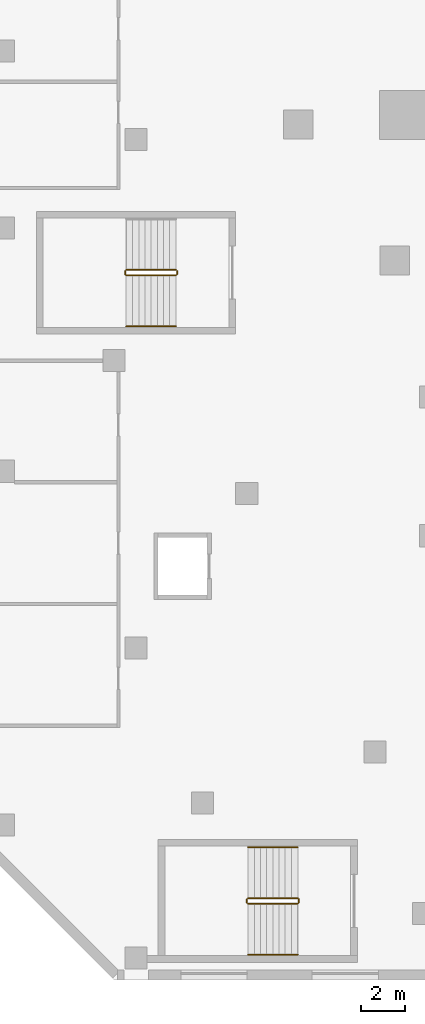
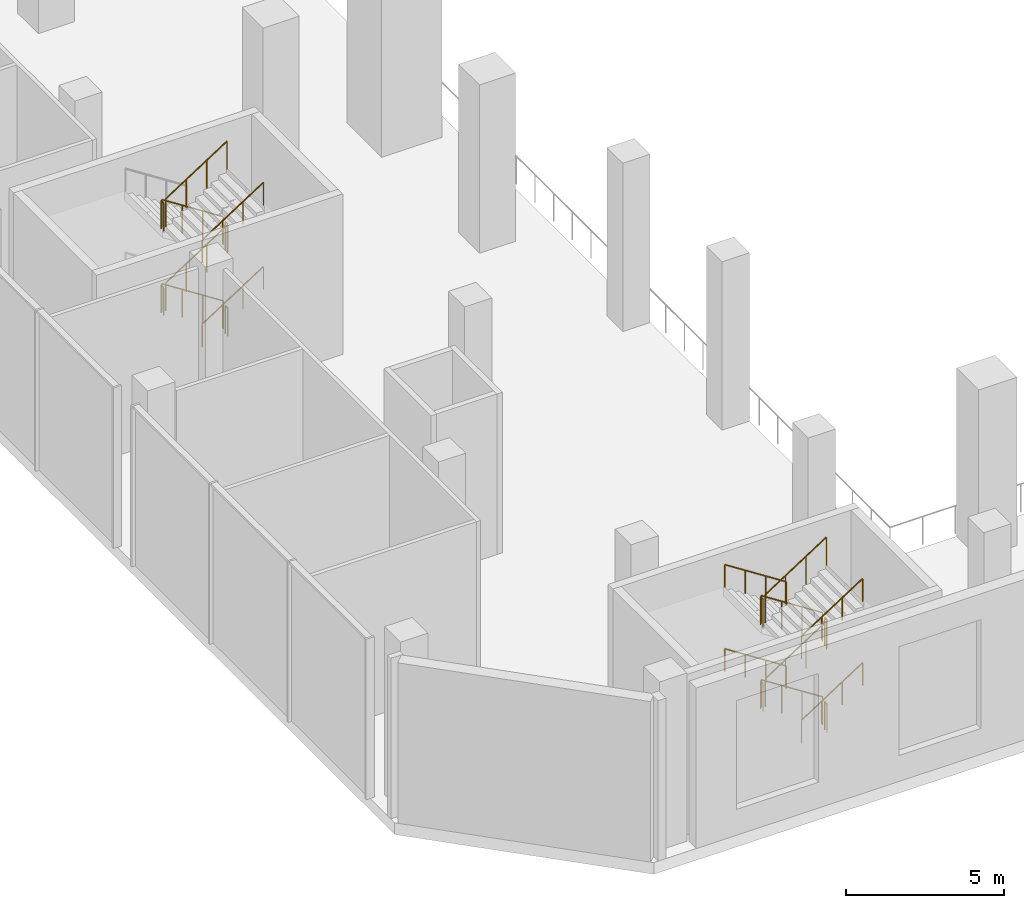
# One storey, part 22 of 30: 22 railings.
"""IFC4 building model written with IfcOpenShell, lengths in metres."""

import ifcopenshell
import ifcopenshell.guid

model = None  # the IFC model being written
_history = None  # IfcOwnerHistory: only IFC2X3 demands one
_inside = {}  # id of a spatial element -> (the spatial element, [elements in it])
_under = {}  # id of a project, library or spatial element -> (it, [spatial elements below it])
_declared = {}  # id of a project -> (the project, [libraries it declares])
_typed = {}  # id of a type object -> (the type object, [elements of that type])
_made_of = {}  # id of a material, layer set ... -> (it, [elements and type objects made of it])


def new_model(schema):
    """Start an empty IFC model of exactly this schema.

    Asked for "IFC4X3", IfcOpenShell would pick the latest addendum, in which some entities
    have other attributes; the version numbers below select the first issue.
    IFC2X3 requires an IfcOwnerHistory on every rooted entity: one is made here for all.
    """
    global model, _history
    if schema == "IFC4X3":
        model = ifcopenshell.file(schema_version=(4, 3, 0, 0))
    else:
        model = ifcopenshell.file(schema=schema)
    _inside.clear()
    _under.clear()
    _declared.clear()
    _typed.clear()
    _made_of.clear()
    _history = None
    if model.schema == "IFC2X3":
        org = make("IfcOrganization", Name="unknown")
        user = make(
            "IfcPersonAndOrganization",
            ThePerson=make("IfcPerson", FamilyName="unknown"),
            TheOrganization=org,
        )
        app = make(
            "IfcApplication",
            ApplicationDeveloper=org,
            Version="unknown",
            ApplicationFullName="unknown",
            ApplicationIdentifier="unknown",
        )
        _history = make(
            "IfcOwnerHistory",
            OwningUser=user,
            OwningApplication=app,
            ChangeAction="ADDED",
            CreationDate=0,
        )
    return model


def make(cls, **values):
    """One entity of the class cls with the attributes given. An attribute that is None is left unset."""
    return model.create_entity(
        cls, **{name: value for name, value in values.items() if value is not None}
    )


def rooted(cls, **values):
    """An entity with a GlobalId (a new one), such as an element, a storey or a relation."""
    return make(cls, GlobalId=ifcopenshell.guid.new(), OwnerHistory=_history, **values)


def si_unit(unit_type, name, prefix=None):
    """IfcSIUnit, for example si_unit("LENGTHUNIT", "METRE", prefix="MILLI")."""
    return make("IfcSIUnit", UnitType=unit_type, Prefix=prefix, Name=name)


def assignment(units):
    """IfcUnitAssignment: the units of a project."""
    return None if units is None else make("IfcUnitAssignment", Units=units)


def point(xyz):
    """IfcCartesianPoint."""
    return None if xyz is None else make("IfcCartesianPoint", Coordinates=xyz)


def direction(xyz):
    """IfcDirection."""
    return None if xyz is None else make("IfcDirection", DirectionRatios=xyz)


def frame(location, z_axis=None, x_axis=None):
    """IfcAxis2Placement3D, a coordinate frame: its origin and axes. An axis left out is left unset."""
    return make(
        "IfcAxis2Placement3D",
        Location=point(location),
        Axis=direction(z_axis),
        RefDirection=direction(x_axis),
    )


def frame_2d(location, x_axis=None):
    """IfcAxis2Placement2D, a coordinate frame in the plane: its origin and x axis."""
    return make(
        "IfcAxis2Placement2D", Location=point(location), RefDirection=direction(x_axis)
    )


def origin():
    """The frame at (0, 0, 0) with its axes left unset."""
    return frame((0.0, 0.0, 0.0))


def origin_2d():
    """The frame at (0, 0) in the plane with its x axis left unset."""
    return frame_2d((0.0, 0.0))


def place(relative_to, where):
    """IfcLocalPlacement: puts the frame where relative to a parent placement (None: the world)."""
    return make(
        "IfcLocalPlacement", PlacementRelTo=relative_to, RelativePlacement=where
    )


def context(
    kind, dimensions, precision=None, world=None, true_north=None, identifier=None
):
    """IfcGeometricRepresentationContext, for example the 3D "Model" context."""
    return make(
        "IfcGeometricRepresentationContext",
        ContextIdentifier=identifier,
        ContextType=kind,
        CoordinateSpaceDimension=dimensions,
        Precision=precision,
        WorldCoordinateSystem=world,
        TrueNorth=true_north,
    )


def subcontext(parent, identifier, kind, view, scale=None):
    """IfcGeometricRepresentationSubContext, for example "Body" below "Model"."""
    return make(
        "IfcGeometricRepresentationSubContext",
        ContextIdentifier=identifier,
        ContextType=kind,
        ParentContext=parent,
        TargetScale=scale,
        TargetView=view,
    )


def project(units=None, contexts=None):
    """IfcProject with its units and contexts."""
    return rooted(
        "IfcProject",
        Name="project",
        RepresentationContexts=contexts,
        UnitsInContext=assignment(units),
    )


def spatial(cls, under=None, at=None, **own):
    """A site, building, storey or space (cls), placed at a placement, below another one or the project."""
    s = rooted(cls, ObjectPlacement=at, **own)
    if under is not None:
        _under.setdefault(under.id(), (under, []))[1].append(s)
    return s


def profile(cls, at=None, kind="AREA", **sizes):
    """A parametric profile (cls). Its sizes go by their IFC names, for example OverallWidth=200.0."""
    return make(cls, ProfileType=kind, Position=at, **sizes)


def circle(**sizes):
    """IfcCircleProfileDef."""
    return profile("IfcCircleProfileDef", **sizes)


def extrude(swept, where, along, depth):
    """IfcExtrudedAreaSolid: the profile swept, set in the frame where, extruded along a direction by depth."""
    return make(
        "IfcExtrudedAreaSolid",
        SweptArea=swept,
        Position=where,
        ExtrudedDirection=direction(along),
        Depth=depth,
    )


def shape(context_of_items, identifier, shape_type, items):
    """IfcShapeRepresentation: the items that make up one representation, for example the "Body"."""
    return make(
        "IfcShapeRepresentation",
        ContextOfItems=context_of_items,
        RepresentationIdentifier=identifier,
        RepresentationType=shape_type,
        Items=items,
    )


def material(Name=None, Category=None):
    """IfcMaterial."""
    return make("IfcMaterial", Name=Name, Category=Category)


def made_of(thing, what):
    """Note that an element or type object is made of a material, layer set ...; save() writes the relation."""
    if what is not None:
        _made_of.setdefault(what.id(), (what, []))[1].append(thing)
    return thing


def type_object(cls, material=None, **own):
    """A type object (cls), such as IfcWallType, which elements share."""
    return made_of(rooted(cls, **own), material)


def element(
    cls,
    number,
    at=None,
    inside=None,
    cuts=None,
    type_object=None,
    material=None,
    context=None,
    identifier="Body",
    shape_type=None,
    held_by="IfcProductDefinitionShape",
    body=None,
    shapes=None,
    **own,
):
    """One element of the class cls, such as IfcWall. Its Tag is "e" and its number.

    at: its placement. inside: the storey or other place that contains it. cuts: it is an
    opening in that element (IfcRelVoidsElement). A single representation is given by context,
    identifier, shape_type and body (its items); several are given by shapes. held_by: the class
    of the entity that holds the representations. save() writes the other relations.
    """
    e = rooted(cls, Tag="e%d" % number, ObjectPlacement=at, **own)
    if body is not None:
        shapes = [shape(context, identifier, shape_type, body)]
    if shapes is not None:
        e.Representation = make(held_by, Representations=shapes)
    if inside is not None:
        _inside.setdefault(inside.id(), (inside, []))[1].append(e)
    if cuts is not None:
        rooted(
            "IfcRelVoidsElement", RelatingBuildingElement=cuts, RelatedOpeningElement=e
        )
    if type_object is not None:
        _typed.setdefault(type_object.id(), (type_object, []))[1].append(e)
    return made_of(e, material)


def aggregate(whole, parts):
    """IfcRelAggregates: a whole, such as a stair, and the parts it consists of."""
    return rooted("IfcRelAggregates", RelatingObject=whole, RelatedObjects=parts)


def save(model, path):
    """Write the relations noted so far, then the file.

    IfcRelAggregates (storeys below a building ...), IfcRelContainedInSpatialStructure (elements
    in a storey), IfcRelDefinesByType, IfcRelAssociatesMaterial and IfcRelDeclares: one each for
    every whole, place, type object, material and project.
    """
    for whole, parts in _under.values():
        aggregate(whole, parts)
    for where, things in _inside.values():
        rooted(
            "IfcRelContainedInSpatialStructure",
            RelatedElements=things,
            RelatingStructure=where,
        )
    for kind, things in _typed.values():
        rooted("IfcRelDefinesByType", RelatedObjects=things, RelatingType=kind)
    for what, things in _made_of.values():
        rooted("IfcRelAssociatesMaterial", RelatedObjects=things, RelatingMaterial=what)
    for by, libraries in _declared.values():
        rooted("IfcRelDeclares", RelatingContext=by, RelatedDefinitions=libraries)
    model.write(path)


model = new_model("IFC4")

# Units and contexts
model_context = context("Model", 3, precision=1e-05, world=origin(), true_north=direction((0.0, 1.0)))
body_context = subcontext(model_context, "Body", "Model", "MODEL_VIEW")
ifc_project = project(units=[si_unit("LENGTHUNIT", "METRE"), si_unit("AREAUNIT", "SQUARE_METRE"), si_unit("VOLUMEUNIT", "CUBIC_METRE"), si_unit("PLANEANGLEUNIT", "RADIAN"), si_unit("MASSUNIT", "GRAM", prefix="KILO")], contexts=[model_context])

# Site, building, storey
site_placement = place(None, origin())
site = spatial("IfcSite", under=ifc_project, at=site_placement, CompositionType="ELEMENT")
building_placement = place(site_placement, origin())
building = spatial("IfcBuilding", under=site, at=building_placement, Name="Wharfspan Tower", CompositionType="ELEMENT")
storey_placement = place(building_placement, frame((0.0, 0.0, 15.0)))
storey = spatial("IfcBuildingStorey", under=building, at=storey_placement, Name="L02", CompositionType="ELEMENT", Elevation=15.0)

# Railings
ifc_material = material(Name="Steel S355J2", Category="steel")
railing_type_1 = type_object("IfcRailingType", Name="Podium guard 1100", PredefinedType="GUARDRAIL", material=ifc_material)
railing_1_placement = place(storey_placement, frame((2.300049, -28.300049, 0.180664)))
element("IfcRailing", 1, at=railing_1_placement, inside=storey, type_object=railing_type_1, Name="L02 AS1 stair guard 1", PredefinedType="GUARDRAIL", context=body_context, shape_type="SweptSolid", body=[
    extrude(circle(Radius=0.023926, at=origin_2d()), frame((0.0, 0.0, 1.076172), z_axis=(-0.840437, 0.0, 0.54191), x_axis=(0.0, -1.0, 0.0)), (0.0, 0.0, 1.0), 2.665283),
    extrude(circle(Radius=0.020996, at=origin_2d()), origin(), (0.0, 0.0, 1.0), 1.052002),
    extrude(circle(Radius=0.020996, at=origin_2d()), frame((-0.746582, 0.0, 0.481445)), (0.0, 0.0, 1.0), 1.052002),
    extrude(circle(Radius=0.020996, at=origin_2d()), frame((-1.493408, 0.0, 0.962891)), (0.0, 0.0, 1.0), 1.052002),
    extrude(circle(Radius=0.020996, at=origin_2d()), frame((-2.23999, 0.0, 1.444336)), (0.0, 0.0, 1.0), 1.052002),
])
railing_2_placement = place(storey_placement, frame((0.01001, -28.350098, 1.625)))
element("IfcRailing", 2, at=railing_2_placement, inside=storey, type_object=railing_type_1, Name="L02 AS1 stair guard 2", PredefinedType="GUARDRAIL", context=body_context, shape_type="SweptSolid", body=[
    extrude(circle(Radius=0.023926, at=origin_2d()), frame((0.0, 0.0, 1.076172), z_axis=(0.0, -1.0, 0.0), x_axis=(1.0, 0.0, 0.0)), (0.0, 0.0, 1.0), 0.149902),
    extrude(circle(Radius=0.020996, at=origin_2d()), origin(), (0.0, 0.0, 1.0), 1.052002),
    extrude(circle(Radius=0.020996, at=origin_2d()), frame((0.0, -0.149902, 0.0)), (0.0, 0.0, 1.0), 1.052002),
])
railing_3_placement = place(storey_placement, frame((0.060059, -28.550049, 1.805664)))
element("IfcRailing", 3, at=railing_3_placement, inside=storey, type_object=railing_type_1, Name="L02 AS1 stair guard 3", PredefinedType="GUARDRAIL", context=body_context, shape_type="SweptSolid", body=[
    extrude(circle(Radius=0.023926, at=origin_2d()), frame((0.0, 0.0, 1.076172), z_axis=(0.840437, 0.0, 0.54191), x_axis=(0.0, 1.0, 0.0)), (0.0, 0.0, 1.0), 2.665283),
    extrude(circle(Radius=0.020996, at=origin_2d()), origin(), (0.0, 0.0, 1.0), 1.052002),
    extrude(circle(Radius=0.020996, at=origin_2d()), frame((0.746582, 0.0, 0.481445)), (0.0, 0.0, 1.0), 1.052002),
    extrude(circle(Radius=0.020996, at=origin_2d()), frame((1.493408, 0.0, 0.962891)), (0.0, 0.0, 1.0), 1.052002),
    extrude(circle(Radius=0.020996, at=origin_2d()), frame((2.23999, 0.0, 1.444336)), (0.0, 0.0, 1.0), 1.052002),
])
railing_4_placement = place(storey_placement, frame((2.350098, -28.350098, 3.25)))
element("IfcRailing", 4, at=railing_4_placement, inside=storey, type_object=railing_type_1, Name="L02 AS1 stair guard 4", PredefinedType="GUARDRAIL", context=body_context, shape_type="SweptSolid", body=[
    extrude(circle(Radius=0.023926, at=origin_2d()), frame((0.0, 0.0, 1.076172), z_axis=(0.0, -1.0, 0.0), x_axis=(1.0, 0.0, 0.0)), (0.0, 0.0, 1.0), 0.149902),
    extrude(circle(Radius=0.020996, at=origin_2d()), origin(), (0.0, 0.0, 1.0), 1.052002),
    extrude(circle(Radius=0.020996, at=origin_2d()), frame((0.0, -0.149902, 0.0)), (0.0, 0.0, 1.0), 1.052002),
])
railing_5_placement = place(storey_placement, frame((2.300049, -28.300049, 3.430664)))
element("IfcRailing", 5, at=railing_5_placement, inside=storey, type_object=railing_type_1, Name="L02 AS1 stair guard 5", PredefinedType="GUARDRAIL", context=body_context, shape_type="SweptSolid", body=[
    extrude(circle(Radius=0.023926, at=origin_2d()), frame((0.0, 0.0, 1.076172), z_axis=(-0.840437, 0.0, 0.54191), x_axis=(0.0, -1.0, 0.0)), (0.0, 0.0, 1.0), 2.665283),
    extrude(circle(Radius=0.020996, at=origin_2d()), origin(), (0.0, 0.0, 1.0), 1.052002),
    extrude(circle(Radius=0.020996, at=origin_2d()), frame((-0.746582, 0.0, 0.481445)), (0.0, 0.0, 1.0), 1.052002),
    extrude(circle(Radius=0.020996, at=origin_2d()), frame((-1.493408, 0.0, 0.962891)), (0.0, 0.0, 1.0), 1.052002),
    extrude(circle(Radius=0.020996, at=origin_2d()), frame((-2.23999, 0.0, 1.444336)), (0.0, 0.0, 1.0), 1.052002),
])
railing_6_placement = place(storey_placement, frame((0.01001, -28.350098, 4.875)))
element("IfcRailing", 6, at=railing_6_placement, inside=storey, type_object=railing_type_1, Name="L02 AS1 stair guard 6", PredefinedType="GUARDRAIL", context=body_context, shape_type="SweptSolid", body=[
    extrude(circle(Radius=0.023926, at=origin_2d()), frame((0.0, 0.0, 1.076172), z_axis=(0.0, -1.0, 0.0), x_axis=(1.0, 0.0, 0.0)), (0.0, 0.0, 1.0), 0.149902),
    extrude(circle(Radius=0.020996, at=origin_2d()), origin(), (0.0, 0.0, 1.0), 1.052002),
    extrude(circle(Radius=0.020996, at=origin_2d()), frame((0.0, -0.149902, 0.0)), (0.0, 0.0, 1.0), 1.052002),
])
railing_7_placement = place(storey_placement, frame((0.060059, -28.550049, 5.055664)))
element("IfcRailing", 7, at=railing_7_placement, inside=storey, type_object=railing_type_1, Name="L02 AS1 stair guard 7", PredefinedType="GUARDRAIL", context=body_context, shape_type="SweptSolid", body=[
    extrude(circle(Radius=0.023926, at=origin_2d()), frame((0.0, 0.0, 1.076172), z_axis=(0.840437, 0.0, 0.54191), x_axis=(0.0, 1.0, 0.0)), (0.0, 0.0, 1.0), 2.665283),
    extrude(circle(Radius=0.020996, at=origin_2d()), origin(), (0.0, 0.0, 1.0), 1.052002),
    extrude(circle(Radius=0.020996, at=origin_2d()), frame((0.746582, 0.0, 0.481445)), (0.0, 0.0, 1.0), 1.052002),
    extrude(circle(Radius=0.020996, at=origin_2d()), frame((1.493408, 0.0, 0.962891)), (0.0, 0.0, 1.0), 1.052002),
    extrude(circle(Radius=0.020996, at=origin_2d()), frame((2.23999, 0.0, 1.444336)), (0.0, 0.0, 1.0), 1.052002),
])
railing_8_placement = place(storey_placement, frame((2.350098, -28.350098, 0.0)))
element("IfcRailing", 8, at=railing_8_placement, inside=storey, type_object=railing_type_1, Name="L02 AS1 stair guard 8", PredefinedType="GUARDRAIL", context=body_context, shape_type="SweptSolid", body=[
    extrude(circle(Radius=0.023926, at=origin_2d()), frame((0.0, 0.0, 1.076172), z_axis=(0.0, -1.0, 0.0), x_axis=(1.0, 0.0, 0.0)), (0.0, 0.0, 1.0), 0.149902),
    extrude(circle(Radius=0.020996, at=origin_2d()), origin(), (0.0, 0.0, 1.0), 1.052002),
    extrude(circle(Radius=0.020996, at=origin_2d()), frame((0.0, -0.149902, 0.0)), (0.0, 0.0, 1.0), 1.052002),
])
railing_9_placement = place(storey_placement, frame((-3.199951, 0.100098, 0.180664)))
element("IfcRailing", 9, at=railing_9_placement, inside=storey, type_object=railing_type_1, Name="L02 AS7 stair guard 1", PredefinedType="GUARDRAIL", context=body_context, shape_type="SweptSolid", body=[
    extrude(circle(Radius=0.023926, at=origin_2d()), frame((0.0, 0.0, 1.076172), z_axis=(-0.840437, 0.0, 0.54191), x_axis=(0.0, -1.0, 0.0)), (0.0, 0.0, 1.0), 2.665283),
    extrude(circle(Radius=0.020996, at=origin_2d()), origin(), (0.0, 0.0, 1.0), 1.052002),
    extrude(circle(Radius=0.020996, at=origin_2d()), frame((-0.746582, 0.0, 0.481445)), (0.0, 0.0, 1.0), 1.052002),
    extrude(circle(Radius=0.020996, at=origin_2d()), frame((-1.493408, 0.0, 0.962891)), (0.0, 0.0, 1.0), 1.052002),
    extrude(circle(Radius=0.020996, at=origin_2d()), frame((-2.23999, 0.0, 1.444336)), (0.0, 0.0, 1.0), 1.052002),
])
railing_10_placement = place(storey_placement, frame((-5.48999, 0.050049, 1.625)))
element("IfcRailing", 10, at=railing_10_placement, inside=storey, type_object=railing_type_1, Name="L02 AS7 stair guard 2", PredefinedType="GUARDRAIL", context=body_context, shape_type="SweptSolid", body=[
    extrude(circle(Radius=0.023926, at=origin_2d()), frame((0.0, 0.0, 1.076172), z_axis=(0.0, -1.0, 0.0), x_axis=(1.0, 0.0, 0.0)), (0.0, 0.0, 1.0), 0.150146),
    extrude(circle(Radius=0.020996, at=origin_2d()), origin(), (0.0, 0.0, 1.0), 1.052002),
    extrude(circle(Radius=0.020996, at=origin_2d()), frame((0.0, -0.150146, 0.0)), (0.0, 0.0, 1.0), 1.052002),
])
railing_11_placement = place(storey_placement, frame((-5.439941, -0.149902, 1.805664)))
element("IfcRailing", 11, at=railing_11_placement, inside=storey, type_object=railing_type_1, Name="L02 AS7 stair guard 3", PredefinedType="GUARDRAIL", context=body_context, shape_type="SweptSolid", body=[
    extrude(circle(Radius=0.023926, at=origin_2d()), frame((0.0, 0.0, 1.076172), z_axis=(0.840437, 0.0, 0.54191), x_axis=(0.0, 1.0, 0.0)), (0.0, 0.0, 1.0), 2.665283),
    extrude(circle(Radius=0.020996, at=origin_2d()), origin(), (0.0, 0.0, 1.0), 1.052002),
    extrude(circle(Radius=0.020996, at=origin_2d()), frame((0.746582, 0.0, 0.481445)), (0.0, 0.0, 1.0), 1.052002),
    extrude(circle(Radius=0.020996, at=origin_2d()), frame((1.493408, 0.0, 0.962891)), (0.0, 0.0, 1.0), 1.052002),
    extrude(circle(Radius=0.020996, at=origin_2d()), frame((2.23999, 0.0, 1.444336)), (0.0, 0.0, 1.0), 1.052002),
])
railing_12_placement = place(storey_placement, frame((-3.149902, 0.050049, 3.25)))
element("IfcRailing", 12, at=railing_12_placement, inside=storey, type_object=railing_type_1, Name="L02 AS7 stair guard 4", PredefinedType="GUARDRAIL", context=body_context, shape_type="SweptSolid", body=[
    extrude(circle(Radius=0.023926, at=origin_2d()), frame((0.0, 0.0, 1.076172), z_axis=(0.0, -1.0, 0.0), x_axis=(1.0, 0.0, 0.0)), (0.0, 0.0, 1.0), 0.150146),
    extrude(circle(Radius=0.020996, at=origin_2d()), origin(), (0.0, 0.0, 1.0), 1.052002),
    extrude(circle(Radius=0.020996, at=origin_2d()), frame((0.0, -0.150146, 0.0)), (0.0, 0.0, 1.0), 1.052002),
])
railing_13_placement = place(storey_placement, frame((-3.199951, 0.100098, 3.430664)))
element("IfcRailing", 13, at=railing_13_placement, inside=storey, type_object=railing_type_1, Name="L02 AS7 stair guard 5", PredefinedType="GUARDRAIL", context=body_context, shape_type="SweptSolid", body=[
    extrude(circle(Radius=0.023926, at=origin_2d()), frame((0.0, 0.0, 1.076172), z_axis=(-0.840437, 0.0, 0.54191), x_axis=(0.0, -1.0, 0.0)), (0.0, 0.0, 1.0), 2.665283),
    extrude(circle(Radius=0.020996, at=origin_2d()), origin(), (0.0, 0.0, 1.0), 1.052002),
    extrude(circle(Radius=0.020996, at=origin_2d()), frame((-0.746582, 0.0, 0.481445)), (0.0, 0.0, 1.0), 1.052002),
    extrude(circle(Radius=0.020996, at=origin_2d()), frame((-1.493408, 0.0, 0.962891)), (0.0, 0.0, 1.0), 1.052002),
    extrude(circle(Radius=0.020996, at=origin_2d()), frame((-2.23999, 0.0, 1.444336)), (0.0, 0.0, 1.0), 1.052002),
])
railing_14_placement = place(storey_placement, frame((-5.48999, 0.050049, 4.875)))
element("IfcRailing", 14, at=railing_14_placement, inside=storey, type_object=railing_type_1, Name="L02 AS7 stair guard 6", PredefinedType="GUARDRAIL", context=body_context, shape_type="SweptSolid", body=[
    extrude(circle(Radius=0.023926, at=origin_2d()), frame((0.0, 0.0, 1.076172), z_axis=(0.0, -1.0, 0.0), x_axis=(1.0, 0.0, 0.0)), (0.0, 0.0, 1.0), 0.150146),
    extrude(circle(Radius=0.020996, at=origin_2d()), origin(), (0.0, 0.0, 1.0), 1.052002),
    extrude(circle(Radius=0.020996, at=origin_2d()), frame((0.0, -0.150146, 0.0)), (0.0, 0.0, 1.0), 1.052002),
])
railing_15_placement = place(storey_placement, frame((-5.439941, -0.149902, 5.055664)))
element("IfcRailing", 15, at=railing_15_placement, inside=storey, type_object=railing_type_1, Name="L02 AS7 stair guard 7", PredefinedType="GUARDRAIL", context=body_context, shape_type="SweptSolid", body=[
    extrude(circle(Radius=0.023926, at=origin_2d()), frame((0.0, 0.0, 1.076172), z_axis=(0.840437, 0.0, 0.54191), x_axis=(0.0, 1.0, 0.0)), (0.0, 0.0, 1.0), 2.665283),
    extrude(circle(Radius=0.020996, at=origin_2d()), origin(), (0.0, 0.0, 1.0), 1.052002),
    extrude(circle(Radius=0.020996, at=origin_2d()), frame((0.746582, 0.0, 0.481445)), (0.0, 0.0, 1.0), 1.052002),
    extrude(circle(Radius=0.020996, at=origin_2d()), frame((1.493408, 0.0, 0.962891)), (0.0, 0.0, 1.0), 1.052002),
    extrude(circle(Radius=0.020996, at=origin_2d()), frame((2.23999, 0.0, 1.444336)), (0.0, 0.0, 1.0), 1.052002),
])
railing_16_placement = place(storey_placement, frame((-3.149902, 0.050049, 0.0)))
element("IfcRailing", 16, at=railing_16_placement, inside=storey, type_object=railing_type_1, Name="L02 AS7 stair guard 8", PredefinedType="GUARDRAIL", context=body_context, shape_type="SweptSolid", body=[
    extrude(circle(Radius=0.023926, at=origin_2d()), frame((0.0, 0.0, 1.076172), z_axis=(0.0, -1.0, 0.0), x_axis=(1.0, 0.0, 0.0)), (0.0, 0.0, 1.0), 0.150146),
    extrude(circle(Radius=0.020996, at=origin_2d()), origin(), (0.0, 0.0, 1.0), 1.052002),
    extrude(circle(Radius=0.020996, at=origin_2d()), frame((0.0, -0.150146, 0.0)), (0.0, 0.0, 1.0), 1.052002),
])
railing_type_2 = type_object("IfcRailingType", Name="Podium stair handrail 900", PredefinedType="HANDRAIL", material=ifc_material)
railing_17_placement = place(storey_placement, frame((2.300049, -26.0, 0.180664)))
element("IfcRailing", 17, at=railing_17_placement, inside=storey, type_object=railing_type_2, Name="L02 AS1 stair handrail 1", PredefinedType="HANDRAIL", context=body_context, shape_type="SweptSolid", body=[
    extrude(circle(Radius=0.023926, at=origin_2d()), frame((0.0, 0.0, 0.875977), z_axis=(-0.840437, 0.0, 0.54191), x_axis=(0.0, -1.0, 0.0)), (0.0, 0.0, 1.0), 2.665283),
    extrude(circle(Radius=0.020996, at=origin_2d()), origin(), (0.0, 0.0, 1.0), 0.851807),
    extrude(circle(Radius=0.020996, at=origin_2d()), frame((-0.746582, 0.0, 0.481445)), (0.0, 0.0, 1.0), 0.851807),
    extrude(circle(Radius=0.020996, at=origin_2d()), frame((-1.493408, 0.0, 0.962891)), (0.0, 0.0, 1.0), 0.851807),
    extrude(circle(Radius=0.020996, at=origin_2d()), frame((-2.23999, 0.0, 1.444336)), (0.0, 0.0, 1.0), 0.851807),
])
railing_18_placement = place(storey_placement, frame((0.060059, -30.850098, 1.805664)))
element("IfcRailing", 18, at=railing_18_placement, inside=storey, type_object=railing_type_2, Name="L02 AS1 stair handrail 2", PredefinedType="HANDRAIL", context=body_context, shape_type="SweptSolid", body=[
    extrude(circle(Radius=0.023926, at=origin_2d()), frame((0.0, 0.0, 0.875977), z_axis=(0.840437, 0.0, 0.54191), x_axis=(0.0, 1.0, 0.0)), (0.0, 0.0, 1.0), 2.665283),
    extrude(circle(Radius=0.020996, at=origin_2d()), origin(), (0.0, 0.0, 1.0), 0.851807),
    extrude(circle(Radius=0.020996, at=origin_2d()), frame((0.746582, 0.0, 0.481445)), (0.0, 0.0, 1.0), 0.851807),
    extrude(circle(Radius=0.020996, at=origin_2d()), frame((1.493408, 0.0, 0.962891)), (0.0, 0.0, 1.0), 0.851807),
    extrude(circle(Radius=0.020996, at=origin_2d()), frame((2.23999, 0.0, 1.444336)), (0.0, 0.0, 1.0), 0.851807),
])
railing_19_placement = place(storey_placement, frame((2.300049, -26.0, 3.430664)))
element("IfcRailing", 19, at=railing_19_placement, inside=storey, type_object=railing_type_2, Name="L02 AS1 stair handrail 3", PredefinedType="HANDRAIL", context=body_context, shape_type="SweptSolid", body=[
    extrude(circle(Radius=0.023926, at=origin_2d()), frame((0.0, 0.0, 0.875977), z_axis=(-0.840437, 0.0, 0.54191), x_axis=(0.0, -1.0, 0.0)), (0.0, 0.0, 1.0), 2.665283),
    extrude(circle(Radius=0.020996, at=origin_2d()), origin(), (0.0, 0.0, 1.0), 0.851807),
    extrude(circle(Radius=0.020996, at=origin_2d()), frame((-0.746582, 0.0, 0.481445)), (0.0, 0.0, 1.0), 0.851807),
    extrude(circle(Radius=0.020996, at=origin_2d()), frame((-1.493408, 0.0, 0.962891)), (0.0, 0.0, 1.0), 0.851807),
    extrude(circle(Radius=0.020996, at=origin_2d()), frame((-2.23999, 0.0, 1.444336)), (0.0, 0.0, 1.0), 0.851807),
])
for number, where, name in (
    (20, (0.060059, -30.850098, 5.055664), "L02 AS1 stair handrail 4"),
    (21, (-5.439941, -2.449951, 1.805664), "L02 AS7 stair handrail 2"),
    (22, (-5.439941, -2.449951, 5.055664), "L02 AS7 stair handrail 4"),
):
    element("IfcRailing", number, at=place(storey_placement, frame(where)), inside=storey, type_object=railing_type_2, Name=name, PredefinedType="HANDRAIL", context=body_context, shape_type="SweptSolid", body=[
        extrude(circle(Radius=0.023926, at=origin_2d()), frame((0.0, 0.0, 0.875977), z_axis=(0.840437, 0.0, 0.54191), x_axis=(0.0, 1.0, 0.0)), (0.0, 0.0, 1.0), 2.665283),
        extrude(circle(Radius=0.020996, at=origin_2d()), origin(), (0.0, 0.0, 1.0), 0.851807),
        extrude(circle(Radius=0.020996, at=origin_2d()), frame((0.746582, 0.0, 0.481445)), (0.0, 0.0, 1.0), 0.851807),
        extrude(circle(Radius=0.020996, at=origin_2d()), frame((1.493408, 0.0, 0.962891)), (0.0, 0.0, 1.0), 0.851807),
        extrude(circle(Radius=0.020996, at=origin_2d()), frame((2.23999, 0.0, 1.444336)), (0.0, 0.0, 1.0), 0.851807),
    ])

save(model, "model.ifc")
